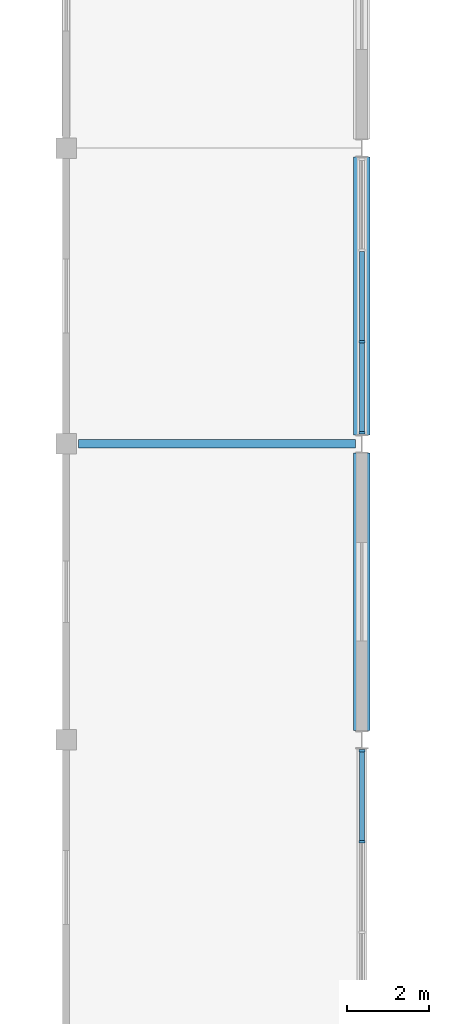
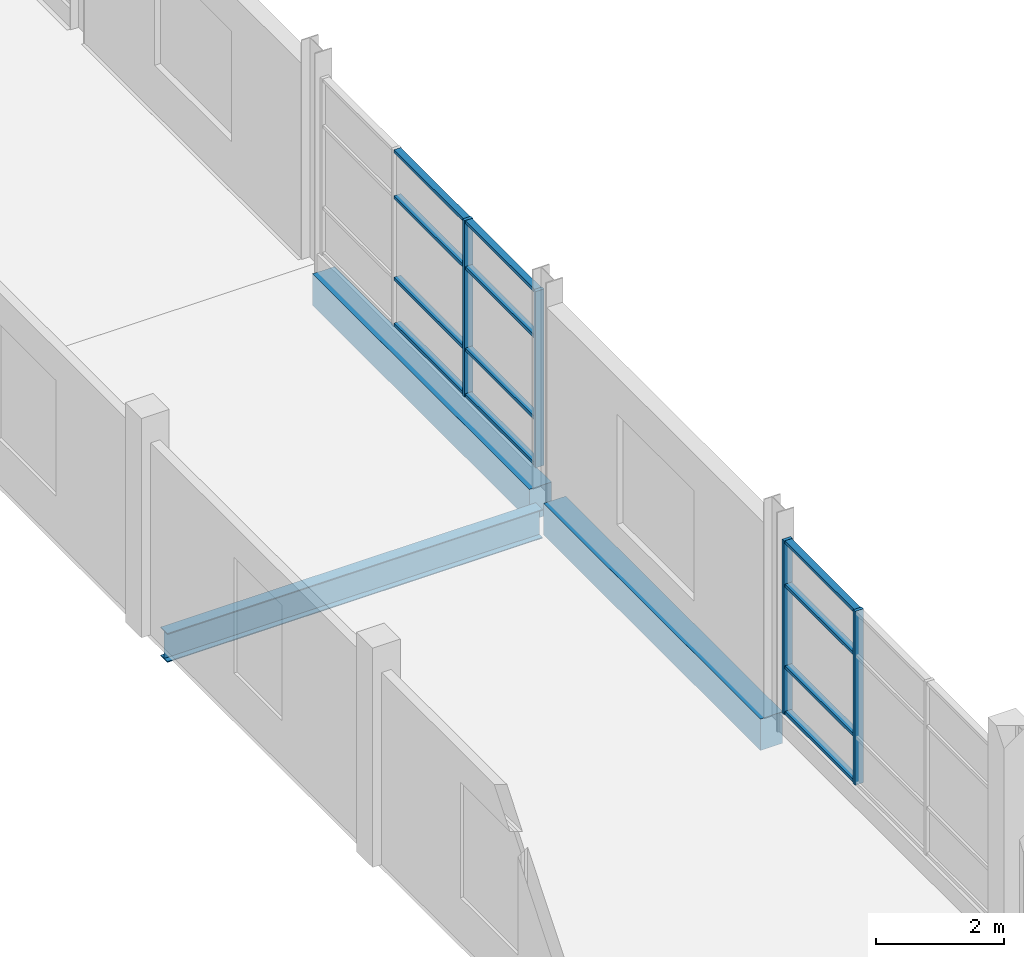
# One storey, part 16 of 71: 16 members, 3 beams, 2 elements without a shape of their own.
"""IFC4 building model written with IfcOpenShell, lengths in metres."""

from ifc_helpers import new_model, si_unit, direction, frame, origin, origin_2d, place, context, subcontext, project, spatial, rectangle, i_section, extrude, material, material_profile, profile_set, type_object, element, aggregate, save


model = new_model("IFC4")

# Units and contexts
model_context = context("Model", 3, precision=1e-05, world=origin(), true_north=direction((0.0, 1.0)))
body_context = subcontext(model_context, "Body", "Model", "MODEL_VIEW")
ifc_project = project(units=[si_unit("LENGTHUNIT", "METRE"), si_unit("AREAUNIT", "SQUARE_METRE"), si_unit("VOLUMEUNIT", "CUBIC_METRE"), si_unit("PLANEANGLEUNIT", "RADIAN"), si_unit("MASSUNIT", "GRAM", prefix="KILO")], contexts=[model_context])

# Site, building, storey
site_placement = place(None, origin())
site = spatial("IfcSite", under=ifc_project, at=site_placement, CompositionType="ELEMENT")
building_placement = place(site_placement, origin())
building = spatial("IfcBuilding", under=site, at=building_placement, Name="Sardonyx Promenade Sports Hall", CompositionType="ELEMENT")
storey_placement = place(building_placement, frame((0.0, 0.0, 16.0)))
storey = spatial("IfcBuildingStorey", under=building, at=storey_placement, Name="L03", CompositionType="ELEMENT", Elevation=16.0)

# Beams
ifc_material_1 = material(Name="Steel S355JR", Category="steel")
ifc_material_profile_1 = material_profile(ifc_material_1, i_section(OverallWidth=0.2099609375, OverallDepth=0.550048828125, WebThickness=0.010986328125, FlangeThickness=0.01708984375, at=origin_2d()))
ifc_profile_set_1 = profile_set([ifc_material_profile_1], Name="Steel S355JR")
beam_type_1 = type_object("IfcBeamType", Name="Bm_Primary_IPE550", PredefinedType="BEAM", material=ifc_profile_set_1)
beam_placement = place(storey_placement, frame((21.89990234375, 43.199951171875, -0.47509765625), z_axis=(1.0, 0.0, 0.0), x_axis=(0.0, 1.0, 0.0)))
element("IfcBeam", 1, at=beam_placement, inside=storey, type_object=beam_type_1, Name="Beam SB03 L03 #775", PredefinedType="BEAM", context=body_context, shape_type="SweptSolid", body=[
    extrude(i_section(OverallWidth=0.2099609375, OverallDepth=0.550048828125, WebThickness=0.010986328125, FlangeThickness=0.01708984375, at=origin_2d()), origin(), (0.0, 0.0, 1.0), 6.75),
])
ifc_material_2 = material(Name="Concrete C40/50", Category="concrete")
ifc_material_profile_2 = material_profile(ifc_material_2, rectangle(XDim=0.39990234375, YDim=0.60009765625, at=origin_2d()))
ifc_profile_set_2 = profile_set([ifc_material_profile_2], Name="Concrete C40/50")
beam_type_2 = type_object("IfcBeamType", Name="Bm_Spandrel_RC600", PredefinedType="SPANDREL", material=ifc_profile_set_2)
for number, where, z_axis, x_axis, name in (
    (2, (28.800048828125, 36.219970703125, -0.300048828125), (0.0, 1.0, 0.0), (-1.0, 0.0, 0.0), "Beam SPB1 L03 #824"),
    (3, (28.800048828125, 43.419921875, -0.300048828125), (0.0, 1.0, 0.0), (-1.0, 0.0, 0.0), "Beam SPB1 L03 #825"),
):
    element("IfcBeam", number, at=place(storey_placement, frame(where, z_axis=z_axis, x_axis=x_axis)), inside=storey, type_object=beam_type_2, Name=name, PredefinedType="SPANDREL", context=body_context, shape_type="SweptSolid", body=[
        extrude(rectangle(XDim=0.39990234375, YDim=0.60009765625, at=origin_2d()), origin(), (0.0, 0.0, 1.0), 6.760009765625),
    ])

# Curtain wall, members
ifc_material_3 = material(Name="Aluminium 6063-T6", Category="aluminium")
curtain_wall_type = type_object("IfcCurtainWallType", Name="CW_South_L03_640", PredefinedType="USERDEFINED", material=ifc_material_3)
curtain_wall_1_placement = place(storey_placement, origin())
curtain_wall_1 = element("IfcCurtainWall", 4, at=curtain_wall_1_placement, inside=storey, type_object=curtain_wall_type, Name="Curtain wall CW14 cw:L03:156", ObjectType="CURTAIN WALL", PredefinedType="USERDEFINED")
ifc_material_4 = material(Name="Aluminium 6063-T6", Category="aluminium")
ifc_material_profile_3 = material_profile(ifc_material_4, rectangle(XDim=0.06005859375, YDim=0.14990234375, at=origin_2d()))
ifc_profile_set_3 = profile_set([ifc_material_profile_3], Name="Aluminium 6063-T6")
member_type_1 = type_object("IfcMemberType", Name="CW_Mull_150", PredefinedType="MULLION", material=ifc_profile_set_3)
member_1_placement = place(storey_placement, frame((28.800048828125, 45.68994140625, 0.35009765625), z_axis=(0.0, 0.0, 1.0), x_axis=(0.0, -1.0, 0.0)))
member_1 = element("IfcMember", 5, at=member_1_placement, type_object=member_type_1, Name="Mullion CM01 cw:L03:156 #3", PredefinedType="MULLION", context=body_context, shape_type="SweptSolid", body=[
    extrude(rectangle(XDim=0.06005859375, YDim=0.14990234375, at=origin_2d()), origin(), (0.0, 0.0, 1.0), 3.35498046875),
])
member_2_placement = place(storey_placement, frame((28.800048828125, 43.469970703125, 0.35009765625), z_axis=(0.0, 0.0, 1.0), x_axis=(0.0, -1.0, 0.0)))
member_2 = element("IfcMember", 6, at=member_2_placement, type_object=member_type_1, Name="Mullion CM01 cw:L03:156 #4", PredefinedType="MULLION", context=body_context, shape_type="SweptSolid", body=[
    extrude(rectangle(XDim=0.06005859375, YDim=0.14990234375, at=origin_2d()), origin(), (0.0, 0.0, 1.0), 3.35498046875),
])

curtain_wall_2_placement = place(storey_placement, origin())
curtain_wall_2 = element("IfcCurtainWall", 7, at=curtain_wall_2_placement, inside=storey, type_object=curtain_wall_type, Name="Curtain wall CW14 cw:L03:157", ObjectType="CURTAIN WALL", PredefinedType="USERDEFINED")
member_3_placement = place(storey_placement, frame((28.800048828125, 35.72998046875, 0.35009765625), z_axis=(0.0, 0.0, 1.0), x_axis=(0.0, -1.0, 0.0)))
member_3 = element("IfcMember", 8, at=member_3_placement, type_object=member_type_1, Name="Mullion CM01 cw:L03:157 #1", PredefinedType="MULLION", context=body_context, shape_type="SweptSolid", body=[
    extrude(rectangle(XDim=0.06005859375, YDim=0.14990234375, at=origin_2d()), origin(), (0.0, 0.0, 1.0), 3.304931640625),
])
member_4_placement = place(storey_placement, frame((28.800048828125, 33.52001953125, 0.35009765625), z_axis=(0.0, 0.0, 1.0), x_axis=(0.0, -1.0, 0.0)))
member_4 = element("IfcMember", 9, at=member_4_placement, type_object=member_type_1, Name="Mullion CM01 cw:L03:157 #2", PredefinedType="MULLION", context=body_context, shape_type="SweptSolid", body=[
    extrude(rectangle(XDim=0.06005859375, YDim=0.14990234375, at=origin_2d()), origin(), (0.0, 0.0, 1.0), 3.304931640625),
])

# Member
ifc_material_5 = material(Name="Aluminium 6063-T6", Category="aluminium")
ifc_material_profile_4 = material_profile(ifc_material_5, rectangle(XDim=0.06005859375, YDim=0.1201171875, at=origin_2d()))
ifc_profile_set_4 = profile_set([ifc_material_profile_4], Name="Aluminium 6063-T6")
member_type_2 = type_object("IfcMemberType", Name="CW_Tran_120", PredefinedType="USERDEFINED", material=ifc_profile_set_4)
member_5_placement = place(storey_placement, frame((28.800048828125, 47.8798828125, 0.3798828125), z_axis=(0.0, -1.0, 0.0), x_axis=(0.0, 0.0, 1.0)))
member_5 = element("IfcMember", 10, at=member_5_placement, type_object=member_type_2, Name="Transom CT01 cw:L03:156 #5", ObjectType="TRANSOM", PredefinedType="USERDEFINED", context=body_context, shape_type="SweptSolid", body=[
    extrude(rectangle(XDim=0.06005859375, YDim=0.1201171875, at=origin_2d()), origin(), (0.0, 0.0, 1.0), 2.159912109375),
])

member_6_placement = place(storey_placement, frame((28.800048828125, 47.8798828125, 1.25), z_axis=(0.0, -1.0, 0.0), x_axis=(0.0, 0.0, 1.0)))
member_6 = element("IfcMember", 11, at=member_6_placement, type_object=member_type_2, Name="Transom CT01 cw:L03:156 #6", ObjectType="TRANSOM", PredefinedType="USERDEFINED", context=body_context, shape_type="SweptSolid", body=[
    extrude(rectangle(XDim=0.06005859375, YDim=0.1201171875, at=origin_2d()), origin(), (0.0, 0.0, 1.0), 2.159912109375),
])

member_7_placement = place(storey_placement, frame((28.800048828125, 47.8798828125, 2.800048828125), z_axis=(0.0, -1.0, 0.0), x_axis=(0.0, 0.0, 1.0)))
member_7 = element("IfcMember", 12, at=member_7_placement, type_object=member_type_2, Name="Transom CT01 cw:L03:156 #7", ObjectType="TRANSOM", PredefinedType="USERDEFINED", context=body_context, shape_type="SweptSolid", body=[
    extrude(rectangle(XDim=0.06005859375, YDim=0.1201171875, at=origin_2d()), origin(), (0.0, 0.0, 1.0), 2.159912109375),
])

member_8_placement = place(storey_placement, frame((28.800048828125, 47.8798828125, 3.675048828125), z_axis=(0.0, -1.0, 0.0), x_axis=(0.0, 0.0, 1.0)))
member_8 = element("IfcMember", 13, at=member_8_placement, type_object=member_type_2, Name="Transom CT01 cw:L03:156 #8", ObjectType="TRANSOM", PredefinedType="USERDEFINED", context=body_context, shape_type="SweptSolid", body=[
    extrude(rectangle(XDim=0.06005859375, YDim=0.1201171875, at=origin_2d()), origin(), (0.0, 0.0, 1.0), 2.159912109375),
])

member_9_placement = place(storey_placement, frame((28.800048828125, 45.659912109375, 0.3798828125), z_axis=(0.0, -1.0, 0.0), x_axis=(0.0, 0.0, 1.0)))
member_9 = element("IfcMember", 14, at=member_9_placement, type_object=member_type_2, Name="Transom CT01 cw:L03:156 #9", ObjectType="TRANSOM", PredefinedType="USERDEFINED", context=body_context, shape_type="SweptSolid", body=[
    extrude(rectangle(XDim=0.06005859375, YDim=0.1201171875, at=origin_2d()), origin(), (0.0, 0.0, 1.0), 2.159912109375),
])

member_10_placement = place(storey_placement, frame((28.800048828125, 45.659912109375, 1.25), z_axis=(0.0, -1.0, 0.0), x_axis=(0.0, 0.0, 1.0)))
member_10 = element("IfcMember", 15, at=member_10_placement, type_object=member_type_2, Name="Transom CT01 cw:L03:156 #10", ObjectType="TRANSOM", PredefinedType="USERDEFINED", context=body_context, shape_type="SweptSolid", body=[
    extrude(rectangle(XDim=0.06005859375, YDim=0.1201171875, at=origin_2d()), origin(), (0.0, 0.0, 1.0), 2.159912109375),
])

member_11_placement = place(storey_placement, frame((28.800048828125, 45.659912109375, 2.800048828125), z_axis=(0.0, -1.0, 0.0), x_axis=(0.0, 0.0, 1.0)))
member_11 = element("IfcMember", 16, at=member_11_placement, type_object=member_type_2, Name="Transom CT01 cw:L03:156 #11", ObjectType="TRANSOM", PredefinedType="USERDEFINED", context=body_context, shape_type="SweptSolid", body=[
    extrude(rectangle(XDim=0.06005859375, YDim=0.1201171875, at=origin_2d()), origin(), (0.0, 0.0, 1.0), 2.159912109375),
])

member_12_placement = place(storey_placement, frame((28.800048828125, 45.659912109375, 3.675048828125), z_axis=(0.0, -1.0, 0.0), x_axis=(0.0, 0.0, 1.0)))
member_12 = element("IfcMember", 17, at=member_12_placement, type_object=member_type_2, Name="Transom CT01 cw:L03:156 #12", ObjectType="TRANSOM", PredefinedType="USERDEFINED", context=body_context, shape_type="SweptSolid", body=[
    extrude(rectangle(XDim=0.06005859375, YDim=0.1201171875, at=origin_2d()), origin(), (0.0, 0.0, 1.0), 2.159912109375),
])

aggregate(curtain_wall_1, [member_1, member_2, member_5, member_6, member_7, member_8, member_9, member_10, member_11, member_12])

member_13_placement = place(storey_placement, frame((28.800048828125, 35.699951171875, 0.3798828125), z_axis=(0.0, -1.0, 0.0), x_axis=(0.0, 0.0, 1.0)))
member_13 = element("IfcMember", 18, at=member_13_placement, type_object=member_type_2, Name="Transom CT01 cw:L03:157 #1", ObjectType="TRANSOM", PredefinedType="USERDEFINED", context=body_context, shape_type="SweptSolid", body=[
    extrude(rectangle(XDim=0.06005859375, YDim=0.1201171875, at=origin_2d()), origin(), (0.0, 0.0, 1.0), 2.14990234375),
])

member_14_placement = place(storey_placement, frame((28.800048828125, 35.699951171875, 1.25), z_axis=(0.0, -1.0, 0.0), x_axis=(0.0, 0.0, 1.0)))
member_14 = element("IfcMember", 19, at=member_14_placement, type_object=member_type_2, Name="Transom CT01 cw:L03:157 #2", ObjectType="TRANSOM", PredefinedType="USERDEFINED", context=body_context, shape_type="SweptSolid", body=[
    extrude(rectangle(XDim=0.06005859375, YDim=0.1201171875, at=origin_2d()), origin(), (0.0, 0.0, 1.0), 2.14990234375),
])

member_15_placement = place(storey_placement, frame((28.800048828125, 35.699951171875, 2.800048828125), z_axis=(0.0, -1.0, 0.0), x_axis=(0.0, 0.0, 1.0)))
member_15 = element("IfcMember", 20, at=member_15_placement, type_object=member_type_2, Name="Transom CT01 cw:L03:157 #3", ObjectType="TRANSOM", PredefinedType="USERDEFINED", context=body_context, shape_type="SweptSolid", body=[
    extrude(rectangle(XDim=0.06005859375, YDim=0.1201171875, at=origin_2d()), origin(), (0.0, 0.0, 1.0), 2.14990234375),
])

member_16_placement = place(storey_placement, frame((28.800048828125, 35.699951171875, 3.625), z_axis=(0.0, -1.0, 0.0), x_axis=(0.0, 0.0, 1.0)))
member_16 = element("IfcMember", 21, at=member_16_placement, type_object=member_type_2, Name="Transom CT01 cw:L03:157 #4", ObjectType="TRANSOM", PredefinedType="USERDEFINED", context=body_context, shape_type="SweptSolid", body=[
    extrude(rectangle(XDim=0.06005859375, YDim=0.1201171875, at=origin_2d()), origin(), (0.0, 0.0, 1.0), 2.14990234375),
])

aggregate(curtain_wall_2, [member_3, member_4, member_13, member_14, member_15, member_16])

save(model, "model.ifc")
